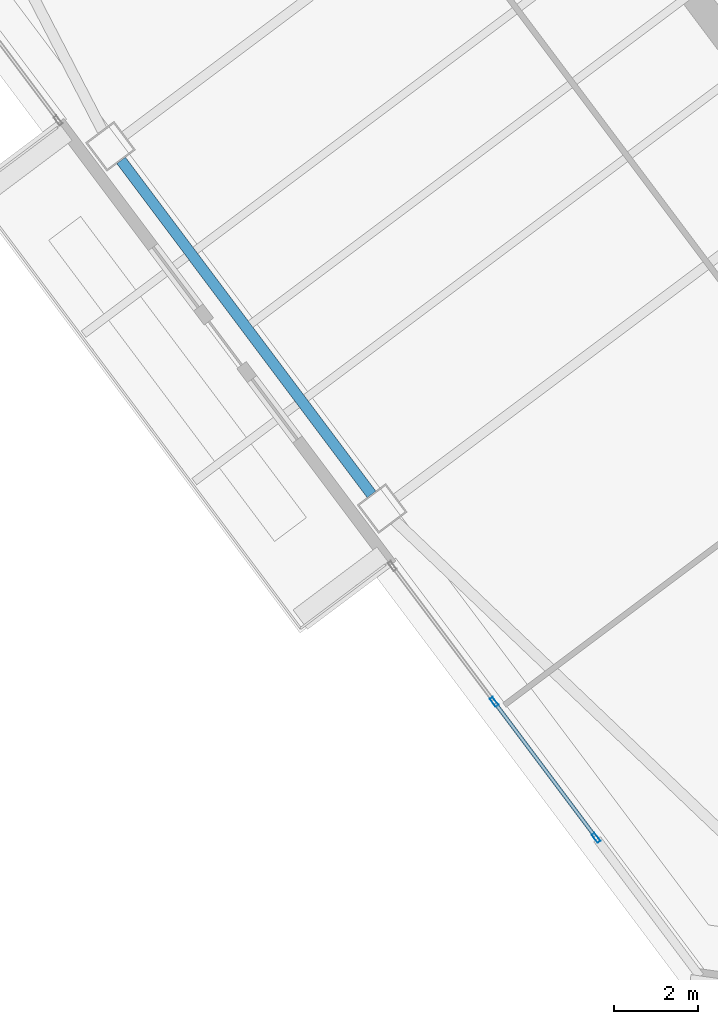
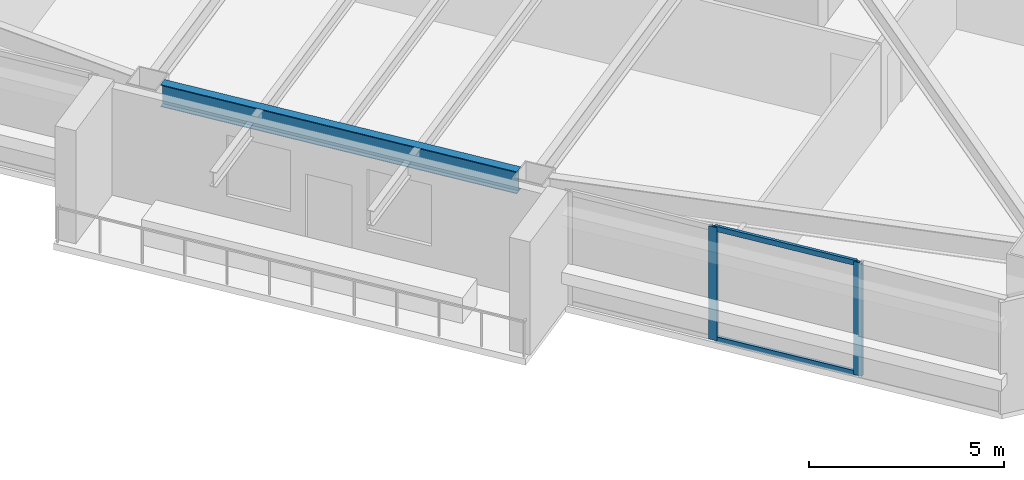
# One storey, part 19 of 46: 4 members, 1 beam, 1 element without a shape of its own.
"""IFC4 building model written with IfcOpenShell, lengths in metres."""

import ifcopenshell
import ifcopenshell.guid

model = None  # the IFC model being written
_history = None  # IfcOwnerHistory: only IFC2X3 demands one
_inside = {}  # id of a spatial element -> (the spatial element, [elements in it])
_under = {}  # id of a project, library or spatial element -> (it, [spatial elements below it])
_declared = {}  # id of a project -> (the project, [libraries it declares])
_typed = {}  # id of a type object -> (the type object, [elements of that type])
_made_of = {}  # id of a material, layer set ... -> (it, [elements and type objects made of it])


def new_model(schema):
    """Start an empty IFC model of exactly this schema.

    Asked for "IFC4X3", IfcOpenShell would pick the latest addendum, in which some entities
    have other attributes; the version numbers below select the first issue.
    IFC2X3 requires an IfcOwnerHistory on every rooted entity: one is made here for all.
    """
    global model, _history
    if schema == "IFC4X3":
        model = ifcopenshell.file(schema_version=(4, 3, 0, 0))
    else:
        model = ifcopenshell.file(schema=schema)
    _inside.clear()
    _under.clear()
    _declared.clear()
    _typed.clear()
    _made_of.clear()
    _history = None
    if model.schema == "IFC2X3":
        org = make("IfcOrganization", Name="unknown")
        user = make(
            "IfcPersonAndOrganization",
            ThePerson=make("IfcPerson", FamilyName="unknown"),
            TheOrganization=org,
        )
        app = make(
            "IfcApplication",
            ApplicationDeveloper=org,
            Version="unknown",
            ApplicationFullName="unknown",
            ApplicationIdentifier="unknown",
        )
        _history = make(
            "IfcOwnerHistory",
            OwningUser=user,
            OwningApplication=app,
            ChangeAction="ADDED",
            CreationDate=0,
        )
    return model


def make(cls, **values):
    """One entity of the class cls with the attributes given. An attribute that is None is left unset."""
    return model.create_entity(
        cls, **{name: value for name, value in values.items() if value is not None}
    )


def rooted(cls, **values):
    """An entity with a GlobalId (a new one), such as an element, a storey or a relation."""
    return make(cls, GlobalId=ifcopenshell.guid.new(), OwnerHistory=_history, **values)


def si_unit(unit_type, name, prefix=None):
    """IfcSIUnit, for example si_unit("LENGTHUNIT", "METRE", prefix="MILLI")."""
    return make("IfcSIUnit", UnitType=unit_type, Prefix=prefix, Name=name)


def assignment(units):
    """IfcUnitAssignment: the units of a project."""
    return None if units is None else make("IfcUnitAssignment", Units=units)


def point(xyz):
    """IfcCartesianPoint."""
    return None if xyz is None else make("IfcCartesianPoint", Coordinates=xyz)


def direction(xyz):
    """IfcDirection."""
    return None if xyz is None else make("IfcDirection", DirectionRatios=xyz)


def frame(location, z_axis=None, x_axis=None):
    """IfcAxis2Placement3D, a coordinate frame: its origin and axes. An axis left out is left unset."""
    return make(
        "IfcAxis2Placement3D",
        Location=point(location),
        Axis=direction(z_axis),
        RefDirection=direction(x_axis),
    )


def frame_2d(location, x_axis=None):
    """IfcAxis2Placement2D, a coordinate frame in the plane: its origin and x axis."""
    return make(
        "IfcAxis2Placement2D", Location=point(location), RefDirection=direction(x_axis)
    )


def origin():
    """The frame at (0, 0, 0) with its axes left unset."""
    return frame((0.0, 0.0, 0.0))


def origin_2d():
    """The frame at (0, 0) in the plane with its x axis left unset."""
    return frame_2d((0.0, 0.0))


def place(relative_to, where):
    """IfcLocalPlacement: puts the frame where relative to a parent placement (None: the world)."""
    return make(
        "IfcLocalPlacement", PlacementRelTo=relative_to, RelativePlacement=where
    )


def context(
    kind, dimensions, precision=None, world=None, true_north=None, identifier=None
):
    """IfcGeometricRepresentationContext, for example the 3D "Model" context."""
    return make(
        "IfcGeometricRepresentationContext",
        ContextIdentifier=identifier,
        ContextType=kind,
        CoordinateSpaceDimension=dimensions,
        Precision=precision,
        WorldCoordinateSystem=world,
        TrueNorth=true_north,
    )


def subcontext(parent, identifier, kind, view, scale=None):
    """IfcGeometricRepresentationSubContext, for example "Body" below "Model"."""
    return make(
        "IfcGeometricRepresentationSubContext",
        ContextIdentifier=identifier,
        ContextType=kind,
        ParentContext=parent,
        TargetScale=scale,
        TargetView=view,
    )


def project(units=None, contexts=None):
    """IfcProject with its units and contexts."""
    return rooted(
        "IfcProject",
        Name="project",
        RepresentationContexts=contexts,
        UnitsInContext=assignment(units),
    )


def spatial(cls, under=None, at=None, **own):
    """A site, building, storey or space (cls), placed at a placement, below another one or the project."""
    s = rooted(cls, ObjectPlacement=at, **own)
    if under is not None:
        _under.setdefault(under.id(), (under, []))[1].append(s)
    return s


def profile(cls, at=None, kind="AREA", **sizes):
    """A parametric profile (cls). Its sizes go by their IFC names, for example OverallWidth=200.0."""
    return make(cls, ProfileType=kind, Position=at, **sizes)


def hollow_rectangle(**sizes):
    """IfcRectangleHollowProfileDef."""
    return profile("IfcRectangleHollowProfileDef", **sizes)


def i_section(**sizes):
    """IfcIShapeProfileDef."""
    return profile("IfcIShapeProfileDef", **sizes)


def extrude(swept, where, along, depth):
    """IfcExtrudedAreaSolid: the profile swept, set in the frame where, extruded along a direction by depth."""
    return make(
        "IfcExtrudedAreaSolid",
        SweptArea=swept,
        Position=where,
        ExtrudedDirection=direction(along),
        Depth=depth,
    )


def shape(context_of_items, identifier, shape_type, items):
    """IfcShapeRepresentation: the items that make up one representation, for example the "Body"."""
    return make(
        "IfcShapeRepresentation",
        ContextOfItems=context_of_items,
        RepresentationIdentifier=identifier,
        RepresentationType=shape_type,
        Items=items,
    )


def material(Name=None, Category=None):
    """IfcMaterial."""
    return make("IfcMaterial", Name=Name, Category=Category)


def material_profile(
    of_material, cross_section, Name=None, Category=None, Priority=None
):
    """IfcMaterialProfile: a cross section and its material."""
    return make(
        "IfcMaterialProfile",
        Name=Name,
        Material=of_material,
        Profile=cross_section,
        Priority=Priority,
        Category=Category,
    )


def profile_set(profiles, Name=None, composite=None):
    """IfcMaterialProfileSet."""
    return make(
        "IfcMaterialProfileSet",
        Name=Name,
        MaterialProfiles=profiles,
        CompositeProfile=composite,
    )


def made_of(thing, what):
    """Note that an element or type object is made of a material, layer set ...; save() writes the relation."""
    if what is not None:
        _made_of.setdefault(what.id(), (what, []))[1].append(thing)
    return thing


def type_object(cls, material=None, **own):
    """A type object (cls), such as IfcWallType, which elements share."""
    return made_of(rooted(cls, **own), material)


def element(
    cls,
    number,
    at=None,
    inside=None,
    cuts=None,
    type_object=None,
    material=None,
    context=None,
    identifier="Body",
    shape_type=None,
    held_by="IfcProductDefinitionShape",
    body=None,
    shapes=None,
    **own,
):
    """One element of the class cls, such as IfcWall. Its Tag is "e" and its number.

    at: its placement. inside: the storey or other place that contains it. cuts: it is an
    opening in that element (IfcRelVoidsElement). A single representation is given by context,
    identifier, shape_type and body (its items); several are given by shapes. held_by: the class
    of the entity that holds the representations. save() writes the other relations.
    """
    e = rooted(cls, Tag="e%d" % number, ObjectPlacement=at, **own)
    if body is not None:
        shapes = [shape(context, identifier, shape_type, body)]
    if shapes is not None:
        e.Representation = make(held_by, Representations=shapes)
    if inside is not None:
        _inside.setdefault(inside.id(), (inside, []))[1].append(e)
    if cuts is not None:
        rooted(
            "IfcRelVoidsElement", RelatingBuildingElement=cuts, RelatedOpeningElement=e
        )
    if type_object is not None:
        _typed.setdefault(type_object.id(), (type_object, []))[1].append(e)
    return made_of(e, material)


def aggregate(whole, parts):
    """IfcRelAggregates: a whole, such as a stair, and the parts it consists of."""
    return rooted("IfcRelAggregates", RelatingObject=whole, RelatedObjects=parts)


def save(model, path):
    """Write the relations noted so far, then the file.

    IfcRelAggregates (storeys below a building ...), IfcRelContainedInSpatialStructure (elements
    in a storey), IfcRelDefinesByType, IfcRelAssociatesMaterial and IfcRelDeclares: one each for
    every whole, place, type object, material and project.
    """
    for whole, parts in _under.values():
        aggregate(whole, parts)
    for where, things in _inside.values():
        rooted(
            "IfcRelContainedInSpatialStructure",
            RelatedElements=things,
            RelatingStructure=where,
        )
    for kind, things in _typed.values():
        rooted("IfcRelDefinesByType", RelatedObjects=things, RelatingType=kind)
    for what, things in _made_of.values():
        rooted("IfcRelAssociatesMaterial", RelatedObjects=things, RelatingMaterial=what)
    for by, libraries in _declared.values():
        rooted("IfcRelDeclares", RelatingContext=by, RelatedDefinitions=libraries)
    model.write(path)


model = new_model("IFC4")

# Units and contexts
model_context = context("Model", 3, precision=1e-05, world=origin(), true_north=direction((0.0, 1.0)))
body_context = subcontext(model_context, "Body", "Model", "MODEL_VIEW")
ifc_project = project(units=[si_unit("LENGTHUNIT", "METRE"), si_unit("AREAUNIT", "SQUARE_METRE"), si_unit("VOLUMEUNIT", "CUBIC_METRE"), si_unit("PLANEANGLEUNIT", "RADIAN"), si_unit("MASSUNIT", "GRAM", prefix="KILO")], contexts=[model_context])

# Site, building, storey
site_placement = place(None, origin())
site = spatial("IfcSite", under=ifc_project, at=site_placement, CompositionType="ELEMENT")
building_placement = place(site_placement, origin())
building = spatial("IfcBuilding", under=site, at=building_placement, Name="Tashvorn Skyway Center", CompositionType="ELEMENT")
storey_placement = place(building_placement, frame((0.0, 0.0, 60.10009765625)))
storey = spatial("IfcBuildingStorey", under=building, at=storey_placement, Name="L15", CompositionType="ELEMENT", Elevation=60.10009765625)

# Beam
ifc_material_1 = material(Name="Steel ASTM A992 Grade 50", Category="steel")
ifc_material_profile_1 = material_profile(ifc_material_1, i_section(OverallWidth=0.256103515625, OverallDepth=0.693115234375, WebThickness=0.014404296875, FlangeThickness=0.023681640625, at=origin_2d()), Name="W27X114")
ifc_profile_set_1 = profile_set([ifc_material_profile_1], Name="Steel ASTM A992 Grade 50")
beam_type = type_object("IfcBeamType", Name="BM-SPANDREL-W27X114", PredefinedType="SPANDREL", material=ifc_profile_set_1)
beam_placement = place(storey_placement, frame((94.172119140625, 23.35400390625, 3.00341796875), z_axis=(0.599988234018, -0.800008824351, 0.0), x_axis=(0.800008824351, 0.599988234018, 0.0)))
element("IfcBeam", 1, at=beam_placement, inside=storey, type_object=beam_type, Name="Tower 2 L15 Spandrel Beam 11", PredefinedType="SPANDREL", context=body_context, shape_type="SweptSolid", body=[
    extrude(i_section(OverallWidth=0.256103515625, OverallDepth=0.693115234375, WebThickness=0.014404296875, FlangeThickness=0.023681640625, at=origin_2d()), origin(), (0.0, 0.0, 1.0), 9.9599609375),
])

# Curtain wall, members
ifc_material_2 = material(Name="Thermally broken bronze-anodized aluminium 6063-T6", Category="aluminium")
curtain_wall_type = type_object("IfcCurtainWallType", Name="CW-CW-Z1", PredefinedType="NOTDEFINED", material=ifc_material_2)
curtain_wall_placement = place(storey_placement, origin())
curtain_wall = element("IfcCurtainWall", 2, at=curtain_wall_placement, inside=storey, type_object=curtain_wall_type, Name="Tower 2 L15 West Curtain Wall L Glazing Group 1", PredefinedType="NOTDEFINED")
ifc_material_profile_2 = material_profile(ifc_material_2, hollow_rectangle(XDim=0.0849609375, YDim=0.239990234375, WallThickness=0.0048828125, at=origin_2d()), Name="ALU-MULL-85x240")
ifc_profile_set_2 = profile_set([ifc_material_profile_2], Name="Thermally broken bronze-anodized aluminium 6063-T6")
member_type_1 = type_object("IfcMemberType", Name="CWM-CW-Z1", PredefinedType="MULLION", material=ifc_profile_set_2)
member_1_placement = place(storey_placement, frame((105.50244140625, 7.19677734375, 0.0), z_axis=(0.0, 0.0, 1.0), x_axis=(-0.799998534192, -0.600001954406, 0.0)))
member_1 = element("IfcMember", 3, at=member_1_placement, type_object=member_type_1, Name="CW-Z1 mullion 1", PredefinedType="MULLION", context=body_context, shape_type="SweptSolid", body=[
    extrude(hollow_rectangle(XDim=0.0849609375, YDim=0.239990234375, WallThickness=0.0048828125, at=origin_2d()), origin(), (0.0, 0.0, 1.0), 3.5498046875),
])
member_2_placement = place(storey_placement, frame((103.072021484375, 10.437255859375, 0.0), z_axis=(0.0, 0.0, 1.0), x_axis=(-0.799998534192, -0.600001954406, 0.0)))
member_2 = element("IfcMember", 4, at=member_2_placement, type_object=member_type_1, Name="CW-Z1 mullion 2", PredefinedType="MULLION", context=body_context, shape_type="SweptSolid", body=[
    extrude(hollow_rectangle(XDim=0.0849609375, YDim=0.239990234375, WallThickness=0.0048828125, at=origin_2d()), origin(), (0.0, 0.0, 1.0), 3.5498046875),
])
ifc_material_profile_3 = material_profile(ifc_material_2, hollow_rectangle(XDim=0.0849609375, YDim=0.1650390625, WallThickness=0.0048828125, at=origin_2d()), Name="ALU-TRAN-85x165")
ifc_profile_set_3 = profile_set([ifc_material_profile_3], Name="Thermally broken bronze-anodized aluminium 6063-T6")
member_type_2 = type_object("IfcMemberType", Name="CWT-CW-Z1", PredefinedType="USERDEFINED", material=ifc_profile_set_3)
member_3_placement = place(storey_placement, frame((105.47705078125, 7.230712890625, 0.04248046875), z_axis=(-0.600029548599, 0.799977837698, 0.0), x_axis=(-0.799977837698, -0.600029548599, 0.0)))
member_3 = element("IfcMember", 5, at=member_3_placement, type_object=member_type_2, Name="CW-Z1 transom 1.1", ObjectType="TRANSOM", PredefinedType="USERDEFINED", context=body_context, shape_type="SweptSolid", body=[
    extrude(hollow_rectangle(XDim=0.0849609375, YDim=0.1650390625, WallThickness=0.0048828125, at=origin_2d()), origin(), (0.0, 0.0, 1.0), 3.9658203125),
])
member_4_placement = place(storey_placement, frame((105.47705078125, 7.230712890625, 3.50732421875), z_axis=(-0.600029548599, 0.799977837698, 0.0), x_axis=(-0.799977837698, -0.600029548599, 0.0)))
member_4 = element("IfcMember", 6, at=member_4_placement, type_object=member_type_2, Name="CW-Z1 transom 1.2", ObjectType="TRANSOM", PredefinedType="USERDEFINED", context=body_context, shape_type="SweptSolid", body=[
    extrude(hollow_rectangle(XDim=0.0849609375, YDim=0.1650390625, WallThickness=0.0048828125, at=origin_2d()), origin(), (0.0, 0.0, 1.0), 3.9658203125),
])
aggregate(curtain_wall, [member_1, member_2, member_3, member_4])

save(model, "model.ifc")
